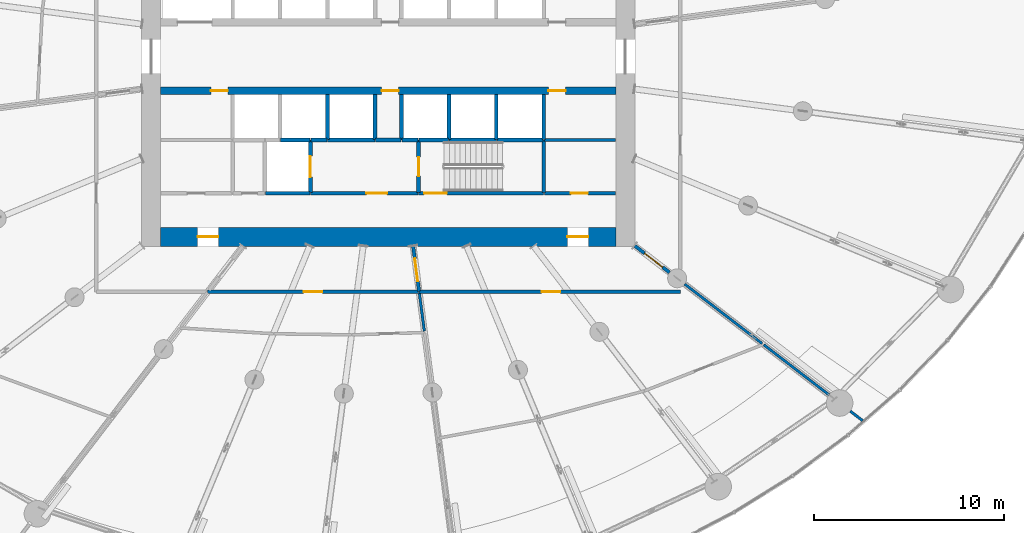
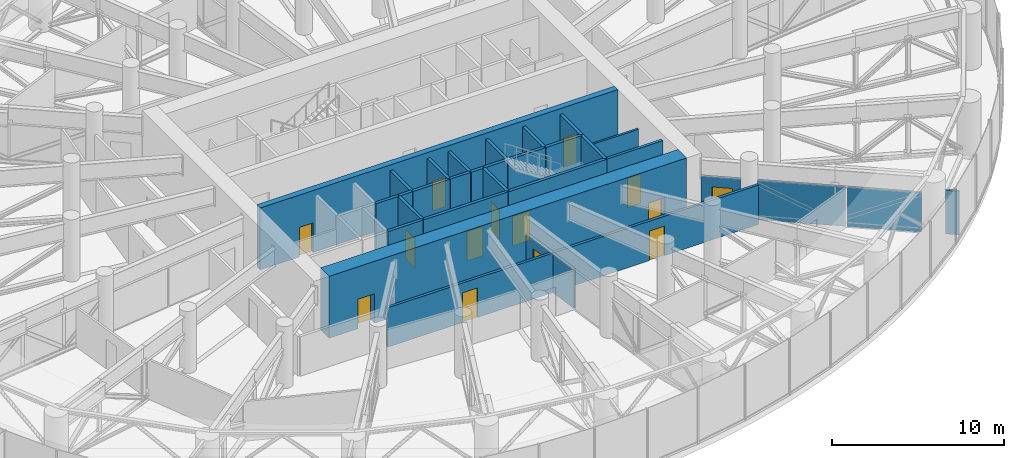
# One storey, part 22 of 42: 32 walls, 14 doors, 14 openings.
"""IFC4 building model written with IfcOpenShell, lengths in metres."""

import ifcopenshell
import ifcopenshell.guid

model = None  # the IFC model being written
_history = None  # IfcOwnerHistory: only IFC2X3 demands one
_inside = {}  # id of a spatial element -> (the spatial element, [elements in it])
_under = {}  # id of a project, library or spatial element -> (it, [spatial elements below it])
_declared = {}  # id of a project -> (the project, [libraries it declares])
_typed = {}  # id of a type object -> (the type object, [elements of that type])
_made_of = {}  # id of a material, layer set ... -> (it, [elements and type objects made of it])


def new_model(schema):
    """Start an empty IFC model of exactly this schema.

    Asked for "IFC4X3", IfcOpenShell would pick the latest addendum, in which some entities
    have other attributes; the version numbers below select the first issue.
    IFC2X3 requires an IfcOwnerHistory on every rooted entity: one is made here for all.
    """
    global model, _history
    if schema == "IFC4X3":
        model = ifcopenshell.file(schema_version=(4, 3, 0, 0))
    else:
        model = ifcopenshell.file(schema=schema)
    _inside.clear()
    _under.clear()
    _declared.clear()
    _typed.clear()
    _made_of.clear()
    _history = None
    if model.schema == "IFC2X3":
        org = make("IfcOrganization", Name="unknown")
        user = make(
            "IfcPersonAndOrganization",
            ThePerson=make("IfcPerson", FamilyName="unknown"),
            TheOrganization=org,
        )
        app = make(
            "IfcApplication",
            ApplicationDeveloper=org,
            Version="unknown",
            ApplicationFullName="unknown",
            ApplicationIdentifier="unknown",
        )
        _history = make(
            "IfcOwnerHistory",
            OwningUser=user,
            OwningApplication=app,
            ChangeAction="ADDED",
            CreationDate=0,
        )
    return model


def make(cls, **values):
    """One entity of the class cls with the attributes given. An attribute that is None is left unset."""
    return model.create_entity(
        cls, **{name: value for name, value in values.items() if value is not None}
    )


def rooted(cls, **values):
    """An entity with a GlobalId (a new one), such as an element, a storey or a relation."""
    return make(cls, GlobalId=ifcopenshell.guid.new(), OwnerHistory=_history, **values)


def si_unit(unit_type, name, prefix=None):
    """IfcSIUnit, for example si_unit("LENGTHUNIT", "METRE", prefix="MILLI")."""
    return make("IfcSIUnit", UnitType=unit_type, Prefix=prefix, Name=name)


def assignment(units):
    """IfcUnitAssignment: the units of a project."""
    return None if units is None else make("IfcUnitAssignment", Units=units)


def point(xyz):
    """IfcCartesianPoint."""
    return None if xyz is None else make("IfcCartesianPoint", Coordinates=xyz)


def direction(xyz):
    """IfcDirection."""
    return None if xyz is None else make("IfcDirection", DirectionRatios=xyz)


def frame(location, z_axis=None, x_axis=None):
    """IfcAxis2Placement3D, a coordinate frame: its origin and axes. An axis left out is left unset."""
    return make(
        "IfcAxis2Placement3D",
        Location=point(location),
        Axis=direction(z_axis),
        RefDirection=direction(x_axis),
    )


def frame_2d(location, x_axis=None):
    """IfcAxis2Placement2D, a coordinate frame in the plane: its origin and x axis."""
    return make(
        "IfcAxis2Placement2D", Location=point(location), RefDirection=direction(x_axis)
    )


def origin():
    """The frame at (0, 0, 0) with its axes left unset."""
    return frame((0.0, 0.0, 0.0))


def place(relative_to, where):
    """IfcLocalPlacement: puts the frame where relative to a parent placement (None: the world)."""
    return make(
        "IfcLocalPlacement", PlacementRelTo=relative_to, RelativePlacement=where
    )


def context(
    kind, dimensions, precision=None, world=None, true_north=None, identifier=None
):
    """IfcGeometricRepresentationContext, for example the 3D "Model" context."""
    return make(
        "IfcGeometricRepresentationContext",
        ContextIdentifier=identifier,
        ContextType=kind,
        CoordinateSpaceDimension=dimensions,
        Precision=precision,
        WorldCoordinateSystem=world,
        TrueNorth=true_north,
    )


def subcontext(parent, identifier, kind, view, scale=None):
    """IfcGeometricRepresentationSubContext, for example "Body" below "Model"."""
    return make(
        "IfcGeometricRepresentationSubContext",
        ContextIdentifier=identifier,
        ContextType=kind,
        ParentContext=parent,
        TargetScale=scale,
        TargetView=view,
    )


def project(units=None, contexts=None):
    """IfcProject with its units and contexts."""
    return rooted(
        "IfcProject",
        Name="project",
        RepresentationContexts=contexts,
        UnitsInContext=assignment(units),
    )


def spatial(cls, under=None, at=None, **own):
    """A site, building, storey or space (cls), placed at a placement, below another one or the project."""
    s = rooted(cls, ObjectPlacement=at, **own)
    if under is not None:
        _under.setdefault(under.id(), (under, []))[1].append(s)
    return s


def profile(cls, at=None, kind="AREA", **sizes):
    """A parametric profile (cls). Its sizes go by their IFC names, for example OverallWidth=200.0."""
    return make(cls, ProfileType=kind, Position=at, **sizes)


def rectangle(**sizes):
    """IfcRectangleProfileDef."""
    return profile("IfcRectangleProfileDef", **sizes)


def extrude(swept, where, along, depth):
    """IfcExtrudedAreaSolid: the profile swept, set in the frame where, extruded along a direction by depth."""
    return make(
        "IfcExtrudedAreaSolid",
        SweptArea=swept,
        Position=where,
        ExtrudedDirection=direction(along),
        Depth=depth,
    )


def shape(context_of_items, identifier, shape_type, items):
    """IfcShapeRepresentation: the items that make up one representation, for example the "Body"."""
    return make(
        "IfcShapeRepresentation",
        ContextOfItems=context_of_items,
        RepresentationIdentifier=identifier,
        RepresentationType=shape_type,
        Items=items,
    )


def source(mapping_origin, context_of_items, identifier, shape_type, items):
    """IfcRepresentationMap: a shape defined once, which mapped items show again and again."""
    return make(
        "IfcRepresentationMap",
        MappingOrigin=mapping_origin,
        MappedRepresentation=shape(context_of_items, identifier, shape_type, items),
    )


def transform(
    local_origin,
    x_axis=None,
    y_axis=None,
    z_axis=None,
    scale=None,
    scale2=None,
    scale3=None,
    uniform=True,
):
    """IfcCartesianTransformationOperator3D, or its non-uniform kind. x_axis, y_axis, z_axis: its Axis1, 2, 3."""
    if uniform:
        return make(
            "IfcCartesianTransformationOperator3D",
            Axis1=direction(x_axis),
            Axis2=direction(y_axis),
            LocalOrigin=point(local_origin),
            Scale=scale,
            Axis3=direction(z_axis),
        )
    return make(
        "IfcCartesianTransformationOperator3DnonUniform",
        Axis1=direction(x_axis),
        Axis2=direction(y_axis),
        LocalOrigin=point(local_origin),
        Scale=scale,
        Axis3=direction(z_axis),
        Scale2=scale2,
        Scale3=scale3,
    )


def mapped(mapping_source, mapping_target):
    """IfcMappedItem: shows the shape of a source again, moved by a transform."""
    return make(
        "IfcMappedItem", MappingSource=mapping_source, MappingTarget=mapping_target
    )


def material(Name=None, Category=None):
    """IfcMaterial."""
    return make("IfcMaterial", Name=Name, Category=Category)


def layer(
    of_material, thickness, ventilated=None, Name=None, Category=None, Priority=None
):
    """IfcMaterialLayer: one layer of a wall or slab, of a material (None: an air gap)."""
    return make(
        "IfcMaterialLayer",
        Material=of_material,
        LayerThickness=thickness,
        IsVentilated=ventilated,
        Name=Name,
        Category=Category,
        Priority=Priority,
    )


def layer_set(layers, Name=None):
    """IfcMaterialLayerSet."""
    return make("IfcMaterialLayerSet", MaterialLayers=layers, LayerSetName=Name)


def made_of(thing, what):
    """Note that an element or type object is made of a material, layer set ...; save() writes the relation."""
    if what is not None:
        _made_of.setdefault(what.id(), (what, []))[1].append(thing)
    return thing


def type_object(cls, material=None, **own):
    """A type object (cls), such as IfcWallType, which elements share."""
    return made_of(rooted(cls, **own), material)


def element(
    cls,
    number,
    at=None,
    inside=None,
    cuts=None,
    type_object=None,
    material=None,
    context=None,
    identifier="Body",
    shape_type=None,
    held_by="IfcProductDefinitionShape",
    body=None,
    shapes=None,
    **own,
):
    """One element of the class cls, such as IfcWall. Its Tag is "e" and its number.

    at: its placement. inside: the storey or other place that contains it. cuts: it is an
    opening in that element (IfcRelVoidsElement). A single representation is given by context,
    identifier, shape_type and body (its items); several are given by shapes. held_by: the class
    of the entity that holds the representations. save() writes the other relations.
    """
    e = rooted(cls, Tag="e%d" % number, ObjectPlacement=at, **own)
    if body is not None:
        shapes = [shape(context, identifier, shape_type, body)]
    if shapes is not None:
        e.Representation = make(held_by, Representations=shapes)
    if inside is not None:
        _inside.setdefault(inside.id(), (inside, []))[1].append(e)
    if cuts is not None:
        rooted(
            "IfcRelVoidsElement", RelatingBuildingElement=cuts, RelatedOpeningElement=e
        )
    if type_object is not None:
        _typed.setdefault(type_object.id(), (type_object, []))[1].append(e)
    return made_of(e, material)


def fill(opening, filler):
    """IfcRelFillsElement: the door or window that sits in an opening."""
    return rooted(
        "IfcRelFillsElement",
        RelatingOpeningElement=opening,
        RelatedBuildingElement=filler,
    )


def aggregate(whole, parts):
    """IfcRelAggregates: a whole, such as a stair, and the parts it consists of."""
    return rooted("IfcRelAggregates", RelatingObject=whole, RelatedObjects=parts)


def save(model, path):
    """Write the relations noted so far, then the file.

    IfcRelAggregates (storeys below a building ...), IfcRelContainedInSpatialStructure (elements
    in a storey), IfcRelDefinesByType, IfcRelAssociatesMaterial and IfcRelDeclares: one each for
    every whole, place, type object, material and project.
    """
    for whole, parts in _under.values():
        aggregate(whole, parts)
    for where, things in _inside.values():
        rooted(
            "IfcRelContainedInSpatialStructure",
            RelatedElements=things,
            RelatingStructure=where,
        )
    for kind, things in _typed.values():
        rooted("IfcRelDefinesByType", RelatedObjects=things, RelatingType=kind)
    for what, things in _made_of.values():
        rooted("IfcRelAssociatesMaterial", RelatedObjects=things, RelatingMaterial=what)
    for by, libraries in _declared.values():
        rooted("IfcRelDeclares", RelatingContext=by, RelatedDefinitions=libraries)
    model.write(path)


model = new_model("IFC4")

# Units and contexts
model_context = context("Model", 3, precision=1e-05, world=origin(), true_north=direction((0.0, 1.0)))
body_context = subcontext(model_context, "Body", "Model", "MODEL_VIEW")
ifc_project = project(units=[si_unit("LENGTHUNIT", "METRE"), si_unit("AREAUNIT", "SQUARE_METRE"), si_unit("VOLUMEUNIT", "CUBIC_METRE"), si_unit("PLANEANGLEUNIT", "RADIAN"), si_unit("MASSUNIT", "GRAM", prefix="KILO")], contexts=[model_context])

# Site, building, storey
site_placement = place(None, origin())
site = spatial("IfcSite", under=ifc_project, at=site_placement, CompositionType="ELEMENT")
building_placement = place(site_placement, origin())
building = spatial("IfcBuilding", under=site, at=building_placement, Name="Spindrift Exchange Tower", CompositionType="ELEMENT")
storey_placement = place(building_placement, frame((0.0, 0.0, 75.39990234375)))
storey = spatial("IfcBuildingStorey", under=building, at=storey_placement, Name="L17", CompositionType="ELEMENT", Elevation=75.39990234375)

# Wall, openings, doors
ifc_material_1 = material(Name="Concrete 80 MPa", Category="concrete")
ifc_layer_1 = layer(ifc_material_1, 1.0)
ifc_layer_set_1 = layer_set([ifc_layer_1], Name="RC Core Wall 1000 Concrete 80 MPa")
wall_type_1 = type_object("IfcWallType", Name="RC Core Wall 1000 Concrete 80 MPa", PredefinedType="SHEAR", material=ifc_layer_set_1)
wall_1_placement = place(storey_placement, frame((40.0, 38.5, 0.0), z_axis=(0.0, 0.0, 1.0), x_axis=(1.0, 0.0, 0.0)))
wall_1 = element("IfcWall", 1, at=wall_1_placement, inside=storey, type_object=wall_type_1, Name="Core wall S L17", PredefinedType="SHEAR", context=body_context, shape_type="SweptSolid", body=[
    extrude(rectangle(XDim=24.0, YDim=1.0, at=frame_2d((12.0, 0.0))), origin(), (0.0, 0.0, 1.0), 4.400146484375),
])
opening_1_placement = place(wall_1_placement, frame((21.449951171875, 0.0, 0.0)))
opening_1 = element("IfcOpeningElement", 2, at=opening_1_placement, cuts=wall_1, Name="Opening L17-D16", PredefinedType="OPENING", context=body_context, shape_type="SweptSolid", body=[
    extrude(rectangle(XDim=1.10009765625, YDim=2.10009765625, at=frame_2d((0.550048828125, 1.050048828125))), frame((0.0, 0.510009765625, 0.0), z_axis=(0.0, -1.0, 0.0), x_axis=(1.0, 0.0, 0.0)), (0.0, 0.0, 1.0), 1.02001953125),
])
opening_2_placement = place(wall_1_placement, frame((1.949951171875, 0.0, 0.0)))
opening_2 = element("IfcOpeningElement", 3, at=opening_2_placement, cuts=wall_1, Name="Opening L17-D17", PredefinedType="OPENING", context=body_context, shape_type="SweptSolid", body=[
    extrude(rectangle(XDim=1.10009765625, YDim=2.10009765625, at=frame_2d((0.550048828125, 1.050048828125))), frame((0.0, 0.510009765625, 0.0), z_axis=(0.0, -1.0, 0.0), x_axis=(1.0, 0.0, 0.0)), (0.0, 0.0, 1.0), 1.02001953125),
])
ifc_material_2 = material(Name="Steel fire door", Category="steel")
door_type_1 = type_object("IfcDoorType", Name="DR-STAIR-1100", OperationType="NOTDEFINED", PredefinedType="DOOR", material=ifc_material_2)
shared_shape_1 = source(origin(), body_context, "Body", "SweptSolid", [
    extrude(rectangle(XDim=1.10009765625, YDim=2.10009765625, at=frame_2d((0.550048828125, 1.050048828125))), frame((0.0, 0.02490234375, 0.0), z_axis=(0.0, -1.0, 0.0), x_axis=(1.0, 0.0, 0.0)), (0.0, 0.0, 1.0), 0.050048828125),
])
door_1_placement = place(opening_1_placement, origin())
door_1 = element("IfcDoor", 4, at=door_1_placement, inside=storey, type_object=door_type_1, Name="L17 Stair door 16", OperationType="SINGLE_SWING_LEFT", OverallHeight=2.10009765625, OverallWidth=1.10009765625, PredefinedType="DOOR", context=body_context, shape_type="MappedRepresentation", body=[
    mapped(shared_shape_1, transform((0.0, 0.0, 0.0), scale=1.0)),
])
fill(opening_1, door_1)
door_2_placement = place(opening_2_placement, origin())
door_2 = element("IfcDoor", 5, at=door_2_placement, inside=storey, type_object=door_type_1, Name="L17 Stair door 17", OperationType="SINGLE_SWING_RIGHT", OverallHeight=2.10009765625, OverallWidth=1.10009765625, PredefinedType="DOOR", context=body_context, shape_type="MappedRepresentation", body=[
    mapped(shared_shape_1, transform((0.0, 0.0, 0.0), scale=1.0)),
])
fill(opening_2, door_2)

ifc_layer_2 = layer(ifc_material_1, 0.39990234375)
ifc_layer_set_2 = layer_set([ifc_layer_2], Name="RC Spine Wall 400 Concrete 80 MPa")
wall_type_2 = type_object("IfcWallType", Name="RC Spine Wall 400 Concrete 80 MPa", PredefinedType="SHEAR", material=ifc_layer_set_2)
wall_2_placement = place(storey_placement, frame((40.0, 46.199951171875, 0.0), z_axis=(0.0, 0.0, 1.0), x_axis=(1.0, 0.0, 0.0)))
wall_2 = element("IfcWall", 6, at=wall_2_placement, inside=storey, type_object=wall_type_2, Name="Core spine wall S L17", PredefinedType="SHEAR", context=body_context, shape_type="SweptSolid", body=[
    extrude(rectangle(XDim=24.0, YDim=0.39990234375, at=frame_2d((12.0, 0.0))), origin(), (0.0, 0.0, 1.0), 4.400146484375),
])
opening_3_placement = place(wall_2_placement, frame((20.449951171875, 0.0, 0.0)))
opening_3 = element("IfcOpeningElement", 7, at=opening_3_placement, cuts=wall_2, Name="Opening L17-D43", PredefinedType="OPENING", context=body_context, shape_type="SweptSolid", body=[
    extrude(rectangle(XDim=0.89990234375, YDim=2.10009765625, at=frame_2d((0.449951171875, 1.050048828125))), frame((0.0, 0.2099609375, 0.0), z_axis=(0.0, -1.0, 0.0), x_axis=(1.0, 0.0, 0.0)), (0.0, 0.0, 1.0), 0.419921875),
])
opening_4_placement = place(wall_2_placement, frame((2.64990234375, 0.0, 0.0)))
opening_4 = element("IfcOpeningElement", 8, at=opening_4_placement, cuts=wall_2, Name="Opening L17-D48", PredefinedType="OPENING", context=body_context, shape_type="SweptSolid", body=[
    extrude(rectangle(XDim=0.89990234375, YDim=2.10009765625, at=frame_2d((0.449951171875, 1.050048828125))), frame((0.0, 0.2099609375, 0.0), z_axis=(0.0, -1.0, 0.0), x_axis=(1.0, 0.0, 0.0)), (0.0, 0.0, 1.0), 0.419921875),
])
opening_5_placement = place(wall_2_placement, frame((11.64990234375, 0.0, 0.0)))
opening_5 = element("IfcOpeningElement", 9, at=opening_5_placement, cuts=wall_2, Name="Opening L17-D50", PredefinedType="OPENING", context=body_context, shape_type="SweptSolid", body=[
    extrude(rectangle(XDim=0.89990234375, YDim=2.10009765625, at=frame_2d((0.449951171875, 1.050048828125))), frame((0.0, 0.2099609375, 0.0), z_axis=(0.0, -1.0, 0.0), x_axis=(1.0, 0.0, 0.0)), (0.0, 0.0, 1.0), 0.419921875),
])
ifc_material_3 = material(Name="Steel access door", Category="steel")
door_type_2 = type_object("IfcDoorType", Name="DR-RISER-900", OperationType="NOTDEFINED", PredefinedType="DOOR", material=ifc_material_3)
shared_shape_2 = source(origin(), body_context, "Body", "SweptSolid", [
    extrude(rectangle(XDim=0.89990234375, YDim=2.10009765625, at=frame_2d((0.449951171875, 1.050048828125))), frame((0.0, 0.02490234375, 0.0), z_axis=(0.0, -1.0, 0.0), x_axis=(1.0, 0.0, 0.0)), (0.0, 0.0, 1.0), 0.050048828125),
])
door_3_placement = place(opening_3_placement, origin())
door_3 = element("IfcDoor", 10, at=door_3_placement, inside=storey, type_object=door_type_2, Name="L17 Riser door 43", OperationType="SINGLE_SWING_RIGHT", OverallHeight=2.10009765625, OverallWidth=0.89990234375, PredefinedType="DOOR", context=body_context, shape_type="MappedRepresentation", body=[
    mapped(shared_shape_2, transform((0.0, 0.0, 0.0), scale=1.0)),
])
fill(opening_3, door_3)
door_4_placement = place(opening_4_placement, origin())
door_4 = element("IfcDoor", 11, at=door_4_placement, inside=storey, type_object=door_type_2, Name="L17 Riser door 48", OperationType="SINGLE_SWING_LEFT", OverallHeight=2.10009765625, OverallWidth=0.89990234375, PredefinedType="DOOR", context=body_context, shape_type="MappedRepresentation", body=[
    mapped(shared_shape_2, transform((0.0, 0.0, 0.0), scale=1.0)),
])
fill(opening_4, door_4)
door_5_placement = place(opening_5_placement, origin())
door_5 = element("IfcDoor", 12, at=door_5_placement, inside=storey, type_object=door_type_2, Name="L17 Riser door 50", OperationType="SINGLE_SWING_LEFT", OverallHeight=2.10009765625, OverallWidth=0.89990234375, PredefinedType="DOOR", context=body_context, shape_type="MappedRepresentation", body=[
    mapped(shared_shape_2, transform((0.0, 0.0, 0.0), scale=1.0)),
])
fill(opening_5, door_5)

# Wall, opening, door
ifc_material_4 = material(Name="Fire-rated plasterboard partition", Category="gypsum")
ifc_layer_3 = layer(ifc_material_4, 0.179931640625)
ifc_layer_set_3 = layer_set([ifc_layer_3], Name="W-CORR-180")
wall_type_3 = type_object("IfcWallType", Name="W-CORR-180", PredefinedType="PARTITIONING", material=ifc_layer_set_3)
wall_3_placement = place(storey_placement, frame((60.22998046875, 40.800048828125, 0.0), z_axis=(0.0, 0.0, 1.0), x_axis=(1.0, 0.0, 0.0)))
wall_3 = element("IfcWall", 13, at=wall_3_placement, inside=storey, type_object=wall_type_3, Name="L17 Partition wall 69", PredefinedType="PARTITIONING", context=body_context, shape_type="SweptSolid", body=[
    extrude(rectangle(XDim=3.75, YDim=0.179931640625, at=frame_2d((1.875, 0.0))), origin(), (0.0, 0.0, 1.0), 4.0),
])
opening_6_placement = place(wall_3_placement, frame((1.39990234375, 0.0, 0.0)))
opening_6 = element("IfcOpeningElement", 14, at=opening_6_placement, cuts=wall_3, Name="Opening L17-D47", PredefinedType="OPENING", context=body_context, shape_type="SweptSolid", body=[
    extrude(rectangle(XDim=0.89990234375, YDim=2.10009765625, at=frame_2d((0.449951171875, 1.050048828125))), frame((0.0, 0.099853515625, 0.0), z_axis=(0.0, -1.0, 0.0), x_axis=(1.0, 0.0, 0.0)), (0.0, 0.0, 1.0), 0.199951171875),
])
door_6_placement = place(opening_6_placement, origin())
door_6 = element("IfcDoor", 15, at=door_6_placement, inside=storey, type_object=door_type_2, Name="L17 Riser door 47", OperationType="SINGLE_SWING_RIGHT", OverallHeight=2.10009765625, OverallWidth=0.89990234375, PredefinedType="DOOR", context=body_context, shape_type="MappedRepresentation", body=[
    mapped(shared_shape_2, transform((0.0, 0.0, 0.0), scale=1.0)),
])
fill(opening_6, door_6)

ifc_layer_4 = layer(ifc_material_4, 0.179931640625)
ifc_layer_set_4 = layer_set([ifc_layer_4], Name="W-CORR-180-SOFFIT")
wall_type_4 = type_object("IfcWallType", Name="W-CORR-180-SOFFIT", PredefinedType="PARTITIONING", material=ifc_layer_set_4)
wall_4_placement = place(storey_placement, frame((53.628662109375, 35.629638671875, 0.0), z_axis=(0.0, 0.0, 1.0), x_axis=(-0.13060507681, 0.991434472828, 0.0)))
wall_4 = element("IfcWall", 16, at=wall_4_placement, inside=storey, type_object=wall_type_4, Name="L17 Partition wall 76", PredefinedType="PARTITIONING", context=body_context, shape_type="SweptSolid", body=[
    extrude(rectangle(XDim=2.390869140625, YDim=0.179931640625, at=frame_2d((1.1953125, 0.0))), origin(), (0.0, 0.0, 1.0), 2.800048828125),
])
opening_7_placement = place(wall_4_placement, frame((0.540771484375, 0.0, 0.0)))
opening_7 = element("IfcOpeningElement", 17, at=opening_7_placement, cuts=wall_4, Name="Opening L17-D37", PredefinedType="OPENING", context=body_context, shape_type="SweptSolid", body=[
    extrude(rectangle(XDim=1.199951171875, YDim=2.10009765625, at=frame_2d((0.60009765625, 1.050048828125))), frame((0.0, 0.099853515625, 0.0), z_axis=(0.0, -1.0, 0.0), x_axis=(1.0, 0.0, 0.0)), (0.0, 0.0, 1.0), 0.199951171875),
])
door_type_3 = type_object("IfcDoorType", Name="DR-PLANT-1200", OperationType="NOTDEFINED", PredefinedType="DOOR", material=ifc_material_2)
shared_shape_3 = source(origin(), body_context, "Body", "SweptSolid", [
    extrude(rectangle(XDim=1.199951171875, YDim=2.10009765625, at=frame_2d((0.60009765625, 1.050048828125))), frame((0.0, 0.02490234375, 0.0), z_axis=(0.0, -1.0, 0.0), x_axis=(1.0, 0.0, 0.0)), (0.0, 0.0, 1.0), 0.050048828125),
])
door_7_placement = place(opening_7_placement, origin())
door_7 = element("IfcDoor", 18, at=door_7_placement, inside=storey, type_object=door_type_3, Name="L17 Plant room door 37", OperationType="SINGLE_SWING_RIGHT", OverallHeight=2.10009765625, OverallWidth=1.199951171875, PredefinedType="DOOR", context=body_context, shape_type="MappedRepresentation", body=[
    mapped(shared_shape_3, transform((0.0, 0.0, 0.0), scale=1.0)),
])
fill(opening_7, door_7)

wall_5_placement = place(storey_placement, frame((66.832275390625, 36.618896484375, 0.0), z_axis=(0.0, 0.0, 1.0), x_axis=(-0.793393624489, 0.608708926023, 0.0)))
wall_5 = element("IfcWall", 19, at=wall_5_placement, inside=storey, type_object=wall_type_4, Name="L17 Partition wall 78", PredefinedType="PARTITIONING", context=body_context, shape_type="SweptSolid", body=[
    extrude(rectangle(XDim=2.309326171875, YDim=0.179931640625, at=frame_2d((1.15478515625, 0.0))), origin(), (0.0, 0.0, 1.0), 2.800048828125),
])
opening_8_placement = place(wall_5_placement, frame((0.45947265625, 0.0, 0.0)))
opening_8 = element("IfcOpeningElement", 20, at=opening_8_placement, cuts=wall_5, Name="Opening L17-D38", PredefinedType="OPENING", context=body_context, shape_type="SweptSolid", body=[
    extrude(rectangle(XDim=1.199951171875, YDim=2.10009765625, at=frame_2d((0.60009765625, 1.050048828125))), frame((0.0, 0.099853515625, 0.0), z_axis=(0.0, -1.0, 0.0), x_axis=(1.0, 0.0, 0.0)), (0.0, 0.0, 1.0), 0.199951171875),
])
door_8_placement = place(opening_8_placement, origin())
door_8 = element("IfcDoor", 21, at=door_8_placement, inside=storey, type_object=door_type_3, Name="L17 Plant room door 38", OperationType="SINGLE_SWING_LEFT", OverallHeight=2.10009765625, OverallWidth=1.199951171875, PredefinedType="DOOR", context=body_context, shape_type="MappedRepresentation", body=[
    mapped(shared_shape_3, transform((0.0, 0.0, 0.0), scale=1.0)),
])
fill(opening_8, door_8)

# Walls
ifc_layer_5 = layer(ifc_material_4, 0.139892578125)
ifc_layer_set_5 = layer_set([ifc_layer_5], Name="W-PART-140")
wall_type_5 = type_object("IfcWallType", Name="W-PART-140", PredefinedType="PARTITIONING", material=ifc_layer_set_5)
wall_6_placement = place(storey_placement, frame((60.22998046875, 43.60009765625, 0.0), z_axis=(0.0, 0.0, 1.0), x_axis=(1.0, 0.0, 0.0)))
element("IfcWall", 22, at=wall_6_placement, inside=storey, type_object=wall_type_5, Name="L17 Partition wall 112", PredefinedType="PARTITIONING", context=body_context, shape_type="SweptSolid", body=[
    extrude(rectangle(XDim=3.75, YDim=0.139892578125, at=frame_2d((1.875, 0.0))), origin(), (0.0, 0.0, 1.0), 3.10009765625),
])
ifc_layer_6 = layer(ifc_material_4, 0.139892578125)
ifc_layer_set_6 = layer_set([ifc_layer_6], Name="W-PLANT-140")
wall_type_6 = type_object("IfcWallType", Name="W-PLANT-140", PredefinedType="PARTITIONING", material=ifc_layer_set_6)
wall_7_placement = place(storey_placement, frame((76.359375, 29.30859375, 0.0), z_axis=(0.0, 0.0, 1.0), x_axis=(0.793252635304, -0.608892647832, 0.0)))
element("IfcWall", 23, at=wall_7_placement, inside=storey, type_object=wall_type_6, Name="L17 Partition wall 134", PredefinedType="PARTITIONING", context=body_context, shape_type="SweptSolid", body=[
    extrude(rectangle(XDim=0.822265625, YDim=0.139892578125, at=frame_2d((0.4111328125, 0.0))), origin(), (0.0, 0.0, 1.0), 3.10009765625),
])
ifc_layer_7 = layer(ifc_material_4, 0.139892578125)
ifc_layer_set_7 = layer_set([ifc_layer_7], Name="W-PLANT-140-SOFFIT")
wall_type_7 = type_object("IfcWallType", Name="W-PLANT-140-SOFFIT", PredefinedType="PARTITIONING", material=ifc_layer_set_7)
wall_8_placement = place(storey_placement, frame((67.632568359375, 36.004638671875, 0.0), z_axis=(0.0, 0.0, 1.0), x_axis=(0.793361042254, -0.608751391484, 0.0)))
element("IfcWall", 24, at=wall_8_placement, inside=storey, type_object=wall_type_7, Name="L17 Partition wall 99", PredefinedType="PARTITIONING", context=body_context, shape_type="SweptSolid", body=[
    extrude(rectangle(XDim=5.14306640625, YDim=0.139892578125, at=frame_2d((2.571533203125, 0.0))), origin(), (0.0, 0.0, 1.0), 2.800048828125),
])
wall_9_placement = place(storey_placement, frame((71.801513671875, 32.805908203125, 0.0), z_axis=(0.0, 0.0, 1.0), x_axis=(0.793358014638, -0.608755337233, 0.0)))
element("IfcWall", 25, at=wall_9_placement, inside=storey, type_object=wall_type_7, Name="L17 Partition wall 105", PredefinedType="PARTITIONING", context=body_context, shape_type="SweptSolid", body=[
    extrude(rectangle(XDim=4.33642578125, YDim=0.139892578125, at=frame_2d((2.168212890625, 0.0))), origin(), (0.0, 0.0, 1.0), 2.800048828125),
])
wall_10_placement = place(storey_placement, frame((53.644287109375, 35.510009765625, 0.0), z_axis=(0.0, 0.0, 1.0), x_axis=(0.130615253494, -0.991433132165, 0.0)))
element("IfcWall", 26, at=wall_10_placement, inside=storey, type_object=wall_type_7, Name="L17 Partition wall 123", PredefinedType="PARTITIONING", context=body_context, shape_type="SweptSolid", body=[
    extrude(rectangle(XDim=2.003662109375, YDim=0.139892578125, at=frame_2d((1.001953125, 0.0))), origin(), (0.0, 0.0, 1.0), 2.800048828125),
])

# Wall, opening, door
ifc_layer_8 = layer(ifc_material_4, 0.179931640625)
ifc_layer_set_8 = layer_set([ifc_layer_8], Name="W-PLANT-180-SOFFIT")
wall_type_8 = type_object("IfcWallType", Name="W-PLANT-180-SOFFIT", PredefinedType="PARTITIONING", material=ifc_layer_set_8)
wall_11_placement = place(storey_placement, frame((67.39990234375, 35.60009765625, 0.0), z_axis=(0.0, 0.0, 1.0), x_axis=(-1.0, 0.0, 0.0)))
wall_11 = element("IfcWall", 27, at=wall_11_placement, inside=storey, type_object=wall_type_8, Name="L17 Partition wall 57", PredefinedType="PARTITIONING", context=body_context, shape_type="SweptSolid", body=[
    extrude(rectangle(XDim=13.767333984375, YDim=0.179931640625, at=frame_2d((6.8837890625, 0.0))), origin(), (0.0, 0.0, 1.0), 2.800048828125),
])
opening_9_placement = place(wall_11_placement, frame((6.3173828125, 0.0, 0.0)))
opening_9 = element("IfcOpeningElement", 28, at=opening_9_placement, cuts=wall_11, Name="Opening L17-D29", PredefinedType="OPENING", context=body_context, shape_type="SweptSolid", body=[
    extrude(rectangle(XDim=1.0, YDim=2.10009765625, at=frame_2d((0.5, 1.050048828125))), frame((0.0, 0.099853515625, 0.0), z_axis=(0.0, -1.0, 0.0), x_axis=(1.0, 0.0, 0.0)), (0.0, 0.0, 1.0), 0.199951171875),
])
ifc_material_5 = material(Name="Timber-core fire door", Category="wood")
door_type_4 = type_object("IfcDoorType", Name="DR-ROOM-1000", OperationType="NOTDEFINED", PredefinedType="DOOR", material=ifc_material_5)
shared_shape_4 = source(origin(), body_context, "Body", "SweptSolid", [
    extrude(rectangle(XDim=1.0, YDim=2.10009765625, at=frame_2d((0.5, 1.050048828125))), frame((0.0, 0.02490234375, 0.0), z_axis=(0.0, -1.0, 0.0), x_axis=(1.0, 0.0, 0.0)), (0.0, 0.0, 1.0), 0.050048828125),
])
door_9_placement = place(opening_9_placement, origin())
door_9 = element("IfcDoor", 29, at=door_9_placement, inside=storey, type_object=door_type_4, Name="L17 Door 29", OperationType="SINGLE_SWING_RIGHT", OverallHeight=2.10009765625, OverallWidth=1.0, PredefinedType="DOOR", context=body_context, shape_type="MappedRepresentation", body=[
    mapped(shared_shape_4, transform((0.0, 0.0, 0.0), scale=1.0)),
])
fill(opening_9, door_9)

wall_12_placement = place(storey_placement, frame((53.6025390625, 35.60009765625, 0.0), z_axis=(0.0, 0.0, 1.0), x_axis=(-1.0, 0.0, 0.0)))
wall_12 = element("IfcWall", 30, at=wall_12_placement, inside=storey, type_object=wall_type_8, Name="L17 Partition wall 61", PredefinedType="PARTITIONING", context=body_context, shape_type="SweptSolid", body=[
    extrude(rectangle(XDim=11.117431640625, YDim=0.179931640625, at=frame_2d((5.55859375, 0.0))), origin(), (0.0, 0.0, 1.0), 2.800048828125),
])
opening_10_placement = place(wall_12_placement, frame((5.0673828125, 0.0, 0.0)))
opening_10 = element("IfcOpeningElement", 31, at=opening_10_placement, cuts=wall_12, Name="Opening L17-D27", PredefinedType="OPENING", context=body_context, shape_type="SweptSolid", body=[
    extrude(rectangle(XDim=1.0, YDim=2.10009765625, at=frame_2d((0.5, 1.050048828125))), frame((0.0, 0.099853515625, 0.0), z_axis=(0.0, -1.0, 0.0), x_axis=(1.0, 0.0, 0.0)), (0.0, 0.0, 1.0), 0.199951171875),
])
door_10_placement = place(opening_10_placement, origin())
door_10 = element("IfcDoor", 32, at=door_10_placement, inside=storey, type_object=door_type_4, Name="L17 Door 27", OperationType="SINGLE_SWING_RIGHT", OverallHeight=2.10009765625, OverallWidth=1.0, PredefinedType="DOOR", context=body_context, shape_type="MappedRepresentation", body=[
    mapped(shared_shape_4, transform((0.0, 0.0, 0.0), scale=1.0)),
])
fill(opening_10, door_10)

ifc_material_6 = material(Name="Concrete 40 MPa", Category="concrete")
ifc_layer_9 = layer(ifc_material_6, 0.199951171875)
ifc_layer_set_9 = layer_set([ifc_layer_9], Name="W-SHAFT-200")
wall_type_9 = type_object("IfcWallType", Name="W-SHAFT-200", PredefinedType="SOLIDWALL", material=ifc_layer_set_9)
wall_13_placement = place(storey_placement, frame((47.89990234375, 40.830078125, 0.0), z_axis=(0.0, 0.0, 1.0), x_axis=(0.0, 1.0, 0.0)))
wall_13 = element("IfcWall", 33, at=wall_13_placement, inside=storey, type_object=wall_type_9, Name="L17 Shaft wall 8", PredefinedType="SOLIDWALL", context=body_context, shape_type="SweptSolid", body=[
    extrude(rectangle(XDim=2.77001953125, YDim=0.199951171875, at=frame_2d((1.385009765625, 0.0))), origin(), (0.0, 0.0, 1.0), 4.0),
])
opening_11_placement = place(wall_13_placement, frame((0.820068359375, 0.0, 0.0)))
opening_11 = element("IfcOpeningElement", 34, at=opening_11_placement, cuts=wall_13, Name="Opening L17-D4", PredefinedType="OPENING", context=body_context, shape_type="SweptSolid", body=[
    extrude(rectangle(XDim=1.10009765625, YDim=2.10009765625, at=frame_2d((0.550048828125, 1.050048828125))), frame((0.0, 0.10986328125, 0.0), z_axis=(0.0, -1.0, 0.0), x_axis=(1.0, 0.0, 0.0)), (0.0, 0.0, 1.0), 0.219970703125),
])
ifc_material_7 = material(Name="Stainless steel landing door", Category="steel")
door_type_5 = type_object("IfcDoorType", Name="DR-LANDING-1100-SL", OperationType="DOUBLE_DOOR_SLIDING", PredefinedType="USERDEFINED", material=ifc_material_7)
shared_shape_5 = source(origin(), body_context, "Body", "SweptSolid", [
    extrude(rectangle(XDim=1.10009765625, YDim=2.10009765625, at=frame_2d((0.550048828125, 1.050048828125))), frame((0.0, 0.02490234375, 0.0), z_axis=(0.0, -1.0, 0.0), x_axis=(1.0, 0.0, 0.0)), (0.0, 0.0, 1.0), 0.050048828125),
])
door_11_placement = place(opening_11_placement, origin())
door_11 = element("IfcDoor", 35, at=door_11_placement, inside=storey, type_object=door_type_5, Name="L17 Lift landing door 4", ObjectType="LANDING DOOR", OperationType="DOUBLE_DOOR_SLIDING", OverallHeight=2.10009765625, OverallWidth=1.10009765625, PredefinedType="USERDEFINED", context=body_context, shape_type="MappedRepresentation", body=[
    mapped(shared_shape_5, transform((0.0, 0.0, 0.0), scale=1.0)),
])
fill(opening_11, door_11)

# Walls
wall_14_placement = place(storey_placement, frame((48.800048828125, 43.60009765625, 0.0), z_axis=(0.0, 0.0, 1.0), x_axis=(1.0, 0.0, 0.0)))
element("IfcWall", 36, at=wall_14_placement, inside=storey, type_object=wall_type_9, Name="L17 Shaft wall 17", PredefinedType="SOLIDWALL", context=body_context, shape_type="SweptSolid", body=[
    extrude(rectangle(XDim=2.5, YDim=0.199951171875, at=frame_2d((1.25, 0.0))), origin(), (0.0, 0.0, 1.0), 4.0),
])
wall_15_placement = place(storey_placement, frame((45.530029296875, 40.800048828125, 0.0), z_axis=(0.0, 0.0, 1.0), x_axis=(1.0, 0.0, 0.0)))
element("IfcWall", 37, at=wall_15_placement, inside=storey, type_object=wall_type_9, Name="L17 Shaft wall 21", PredefinedType="SOLIDWALL", context=body_context, shape_type="SweptSolid", body=[
    extrude(rectangle(XDim=2.340087890625, YDim=0.199951171875, at=frame_2d((1.169921875, 0.0))), origin(), (0.0, 0.0, 1.0), 4.0),
])
for number, where, z_axis, x_axis, name in (
    (38, (48.800048828125, 43.6298828125, 0.0), (0.0, 0.0, 1.0), (0.0, 1.0, 0.0), "L17 Shaft wall 27"),
    (39, (51.300048828125, 43.6298828125, 0.0), (0.0, 0.0, 1.0), (0.0, 1.0, 0.0), "L17 Shaft wall 29"),
):
    element("IfcWall", number, at=place(storey_placement, frame(where, z_axis=z_axis, x_axis=x_axis)), inside=storey, type_object=wall_type_9, Name=name, PredefinedType="SOLIDWALL", context=body_context, shape_type="SweptSolid", body=[
        extrude(rectangle(XDim=2.360107421875, YDim=0.199951171875, at=frame_2d((1.18017578125, 0.0))), origin(), (0.0, 0.0, 1.0), 4.0),
    ])
wall_16_placement = place(storey_placement, frame((52.699951171875, 45.989990234375, 0.0), z_axis=(0.0, 0.0, 1.0), x_axis=(0.0, -1.0, 0.0)))
element("IfcWall", 40, at=wall_16_placement, inside=storey, type_object=wall_type_9, Name="L17 Shaft wall 31", PredefinedType="SOLIDWALL", context=body_context, shape_type="SweptSolid", body=[
    extrude(rectangle(XDim=2.389892578125, YDim=0.199951171875, at=frame_2d((1.19482421875, 0.0))), origin(), (0.0, 0.0, 1.0), 4.0),
])
wall_17_placement = place(storey_placement, frame((46.330078125, 43.60009765625, 0.0), z_axis=(0.0, 0.0, 1.0), x_axis=(1.0, 0.0, 0.0)))
element("IfcWall", 41, at=wall_17_placement, inside=storey, type_object=wall_type_9, Name="L17 Shaft wall 44", PredefinedType="SOLIDWALL", context=body_context, shape_type="SweptSolid", body=[
    extrude(rectangle(XDim=1.5400390625, YDim=0.199951171875, at=frame_2d((0.77001953125, 0.0))), origin(), (0.0, 0.0, 1.0), 4.0),
])
wall_18_placement = place(storey_placement, frame((52.669921875, 43.60009765625, 0.0), z_axis=(0.0, 0.0, 1.0), x_axis=(-1.0, 0.0, 0.0)))
element("IfcWall", 42, at=wall_18_placement, inside=storey, type_object=wall_type_9, Name="L17 Shaft wall 48", PredefinedType="SOLIDWALL", context=body_context, shape_type="SweptSolid", body=[
    extrude(rectangle(XDim=1.33984375, YDim=0.199951171875, at=frame_2d((0.669921875, 0.0))), origin(), (0.0, 0.0, 1.0), 4.0),
])
wall_19_placement = place(storey_placement, frame((47.929931640625, 43.60009765625, 0.0), z_axis=(0.0, 0.0, 1.0), x_axis=(1.0, 0.0, 0.0)))
element("IfcWall", 43, at=wall_19_placement, inside=storey, type_object=wall_type_9, Name="L17 Shaft wall 50", PredefinedType="SOLIDWALL", context=body_context, shape_type="SweptSolid", body=[
    extrude(rectangle(XDim=0.840087890625, YDim=0.199951171875, at=frame_2d((0.419921875, 0.0))), origin(), (0.0, 0.0, 1.0), 4.0),
])

# Wall, opening, door
ifc_layer_10 = layer(ifc_material_6, 0.199951171875)
ifc_layer_set_10 = layer_set([ifc_layer_10], Name="W-SHAFT-200-LB")
wall_type_10 = type_object("IfcWallType", Name="W-SHAFT-200-LB", PredefinedType="SOLIDWALL", material=ifc_layer_set_10)
wall_20_placement = place(storey_placement, frame((53.60009765625, 40.800048828125, 0.0), z_axis=(0.0, 0.0, 1.0), x_axis=(1.0, 0.0, 0.0)))
wall_20 = element("IfcWall", 44, at=wall_20_placement, inside=storey, type_object=wall_type_10, Name="L17 Shaft wall 2", PredefinedType="SOLIDWALL", context=body_context, shape_type="SweptSolid", body=[
    extrude(rectangle(XDim=6.599853515625, YDim=0.199951171875, at=frame_2d((3.2998046875, 0.0))), origin(), (0.0, 0.0, 1.0), 4.0),
])
opening_12_placement = place(wall_20_placement, frame((0.300048828125, 0.0, 0.0)))
opening_12 = element("IfcOpeningElement", 45, at=opening_12_placement, cuts=wall_20, Name="Opening L17-D10", PredefinedType="OPENING", context=body_context, shape_type="SweptSolid", body=[
    extrude(rectangle(XDim=1.199951171875, YDim=2.10009765625, at=frame_2d((0.60009765625, 1.050048828125))), frame((0.0, 0.10986328125, 0.0), z_axis=(0.0, -1.0, 0.0), x_axis=(1.0, 0.0, 0.0)), (0.0, 0.0, 1.0), 0.219970703125),
])
door_type_6 = type_object("IfcDoorType", Name="DR-STAIR-1200", OperationType="NOTDEFINED", PredefinedType="DOOR", material=ifc_material_2)
shared_shape_6 = source(origin(), body_context, "Body", "SweptSolid", [
    extrude(rectangle(XDim=1.199951171875, YDim=2.10009765625, at=frame_2d((0.60009765625, 1.050048828125))), frame((0.0, 0.02490234375, 0.0), z_axis=(0.0, -1.0, 0.0), x_axis=(1.0, 0.0, 0.0)), (0.0, 0.0, 1.0), 0.050048828125),
])
door_12_placement = place(opening_12_placement, origin())
door_12 = element("IfcDoor", 46, at=door_12_placement, inside=storey, type_object=door_type_6, Name="L17 Stair door 10", OperationType="SINGLE_SWING_LEFT", OverallHeight=2.10009765625, OverallWidth=1.199951171875, PredefinedType="DOOR", context=body_context, shape_type="MappedRepresentation", body=[
    mapped(shared_shape_6, transform((0.0, 0.0, 0.0), scale=1.0)),
])
fill(opening_12, door_12)

wall_21_placement = place(storey_placement, frame((47.89990234375, 40.800048828125, 0.0), z_axis=(0.0, 0.0, 1.0), x_axis=(1.0, 0.0, 0.0)))
wall_21 = element("IfcWall", 47, at=wall_21_placement, inside=storey, type_object=wall_type_10, Name="L17 Shaft wall 3", PredefinedType="SOLIDWALL", context=body_context, shape_type="SweptSolid", body=[
    extrude(rectangle(XDim=5.670166015625, YDim=0.199951171875, at=frame_2d((2.8349609375, 0.0))), origin(), (0.0, 0.0, 1.0), 4.0),
])
opening_13_placement = place(wall_21_placement, frame((2.949951171875, 0.0, 0.0)))
opening_13 = element("IfcOpeningElement", 48, at=opening_13_placement, cuts=wall_21, Name="Opening L17-D12", PredefinedType="OPENING", context=body_context, shape_type="SweptSolid", body=[
    extrude(rectangle(XDim=1.10009765625, YDim=2.10009765625, at=frame_2d((0.550048828125, 1.050048828125))), frame((0.0, 0.10986328125, 0.0), z_axis=(0.0, -1.0, 0.0), x_axis=(1.0, 0.0, 0.0)), (0.0, 0.0, 1.0), 0.219970703125),
])
door_type_7 = type_object("IfcDoorType", Name="DR-LOBBY-1100", OperationType="NOTDEFINED", PredefinedType="DOOR", material=ifc_material_5)
shared_shape_7 = source(origin(), body_context, "Body", "SweptSolid", [
    extrude(rectangle(XDim=1.10009765625, YDim=2.10009765625, at=frame_2d((0.550048828125, 1.050048828125))), frame((0.0, 0.02490234375, 0.0), z_axis=(0.0, -1.0, 0.0), x_axis=(1.0, 0.0, 0.0)), (0.0, 0.0, 1.0), 0.050048828125),
])
door_13_placement = place(opening_13_placement, origin())
door_13 = element("IfcDoor", 49, at=door_13_placement, inside=storey, type_object=door_type_7, Name="L17 Lobby door 12", OperationType="SINGLE_SWING_LEFT", OverallHeight=2.10009765625, OverallWidth=1.10009765625, PredefinedType="DOOR", context=body_context, shape_type="MappedRepresentation", body=[
    mapped(shared_shape_7, transform((0.0, 0.0, 0.0), scale=1.0)),
])
fill(opening_13, door_13)

# Wall
wall_22_placement = place(storey_placement, frame((60.199951171875, 40.830078125, 0.0), z_axis=(0.0, 0.0, 1.0), x_axis=(0.0, 1.0, 0.0)))
element("IfcWall", 50, at=wall_22_placement, inside=storey, type_object=wall_type_10, Name="L17 Shaft wall 10", PredefinedType="SOLIDWALL", context=body_context, shape_type="SweptSolid", body=[
    extrude(rectangle(XDim=2.77001953125, YDim=0.199951171875, at=frame_2d((1.385009765625, 0.0))), origin(), (0.0, 0.0, 1.0), 4.0),
])

# Wall, opening, door
wall_23_placement = place(storey_placement, frame((53.60009765625, 43.60009765625, 0.0), z_axis=(0.0, 0.0, 1.0), x_axis=(0.0, -1.0, 0.0)))
wall_23 = element("IfcWall", 51, at=wall_23_placement, inside=storey, type_object=wall_type_10, Name="L17 Shaft wall 11", PredefinedType="SOLIDWALL", context=body_context, shape_type="SweptSolid", body=[
    extrude(rectangle(XDim=2.77001953125, YDim=0.199951171875, at=frame_2d((1.385009765625, 0.0))), origin(), (0.0, 0.0, 1.0), 4.0),
])
opening_14_placement = place(wall_23_placement, frame((0.89990234375, 0.0, 0.0)))
opening_14 = element("IfcOpeningElement", 52, at=opening_14_placement, cuts=wall_23, Name="Opening L17-D11", PredefinedType="OPENING", context=body_context, shape_type="SweptSolid", body=[
    extrude(rectangle(XDim=1.0, YDim=2.10009765625, at=frame_2d((0.5, 1.050048828125))), frame((0.0, 0.10986328125, 0.0), z_axis=(0.0, -1.0, 0.0), x_axis=(1.0, 0.0, 0.0)), (0.0, 0.0, 1.0), 0.219970703125),
])
door_type_8 = type_object("IfcDoorType", Name="DR-STAIR-1000", OperationType="NOTDEFINED", PredefinedType="DOOR", material=ifc_material_2)
shared_shape_8 = source(origin(), body_context, "Body", "SweptSolid", [
    extrude(rectangle(XDim=1.0, YDim=2.10009765625, at=frame_2d((0.5, 1.050048828125))), frame((0.0, 0.02490234375, 0.0), z_axis=(0.0, -1.0, 0.0), x_axis=(1.0, 0.0, 0.0)), (0.0, 0.0, 1.0), 0.050048828125),
])
door_14_placement = place(opening_14_placement, origin())
door_14 = element("IfcDoor", 53, at=door_14_placement, inside=storey, type_object=door_type_8, Name="L17 Stair door 11", OperationType="SINGLE_SWING_RIGHT", OverallHeight=2.10009765625, OverallWidth=1.0, PredefinedType="DOOR", context=body_context, shape_type="MappedRepresentation", body=[
    mapped(shared_shape_8, transform((0.0, 0.0, 0.0), scale=1.0)),
])
fill(opening_14, door_14)

# Walls
wall_24_placement = place(storey_placement, frame((55.199951171875, 43.60009765625, 0.0), z_axis=(0.0, 0.0, 1.0), x_axis=(1.0, 0.0, 0.0)))
element("IfcWall", 54, at=wall_24_placement, inside=storey, type_object=wall_type_10, Name="L17 Shaft wall 19", PredefinedType="SOLIDWALL", context=body_context, shape_type="SweptSolid", body=[
    extrude(rectangle(XDim=2.5, YDim=0.199951171875, at=frame_2d((1.25, 0.0))), origin(), (0.0, 0.0, 1.0), 4.0),
])
wall_25_placement = place(storey_placement, frame((57.72998046875, 43.60009765625, 0.0), z_axis=(0.0, 0.0, 1.0), x_axis=(1.0, 0.0, 0.0)))
element("IfcWall", 55, at=wall_25_placement, inside=storey, type_object=wall_type_10, Name="L17 Shaft wall 20", PredefinedType="SOLIDWALL", context=body_context, shape_type="SweptSolid", body=[
    extrude(rectangle(XDim=2.43994140625, YDim=0.199951171875, at=frame_2d((1.219970703125, 0.0))), origin(), (0.0, 0.0, 1.0), 4.0),
])
for number, where, z_axis, x_axis, name in (
    (56, (55.199951171875, 43.6298828125, 0.0), (0.0, 0.0, 1.0), (0.0, 1.0, 0.0), "L17 Shaft wall 33"),
    (57, (57.699951171875, 43.6298828125, 0.0), (0.0, 0.0, 1.0), (0.0, 1.0, 0.0), "L17 Shaft wall 35"),
    (58, (60.199951171875, 43.6298828125, 0.0), (0.0, 0.0, 1.0), (0.0, 1.0, 0.0), "L17 Shaft wall 37"),
):
    element("IfcWall", number, at=place(storey_placement, frame(where, z_axis=z_axis, x_axis=x_axis)), inside=storey, type_object=wall_type_10, Name=name, PredefinedType="SOLIDWALL", context=body_context, shape_type="SweptSolid", body=[
        extrude(rectangle(XDim=2.360107421875, YDim=0.199951171875, at=frame_2d((1.18017578125, 0.0))), origin(), (0.0, 0.0, 1.0), 4.0),
    ])
wall_26_placement = place(storey_placement, frame((53.6298828125, 43.60009765625, 0.0), z_axis=(0.0, 0.0, 1.0), x_axis=(1.0, 0.0, 0.0)))
element("IfcWall", 59, at=wall_26_placement, inside=storey, type_object=wall_type_10, Name="L17 Shaft wall 46", PredefinedType="SOLIDWALL", context=body_context, shape_type="SweptSolid", body=[
    extrude(rectangle(XDim=1.5400390625, YDim=0.199951171875, at=frame_2d((0.77001953125, 0.0))), origin(), (0.0, 0.0, 1.0), 4.0),
])
wall_27_placement = place(storey_placement, frame((52.72998046875, 43.60009765625, 0.0), z_axis=(0.0, 0.0, 1.0), x_axis=(1.0, 0.0, 0.0)))
element("IfcWall", 60, at=wall_27_placement, inside=storey, type_object=wall_type_10, Name="L17 Shaft wall 52", PredefinedType="SOLIDWALL", context=body_context, shape_type="SweptSolid", body=[
    extrude(rectangle(XDim=0.840087890625, YDim=0.199951171875, at=frame_2d((0.419921875, 0.0))), origin(), (0.0, 0.0, 1.0), 4.0),
])

save(model, "model.ifc")
